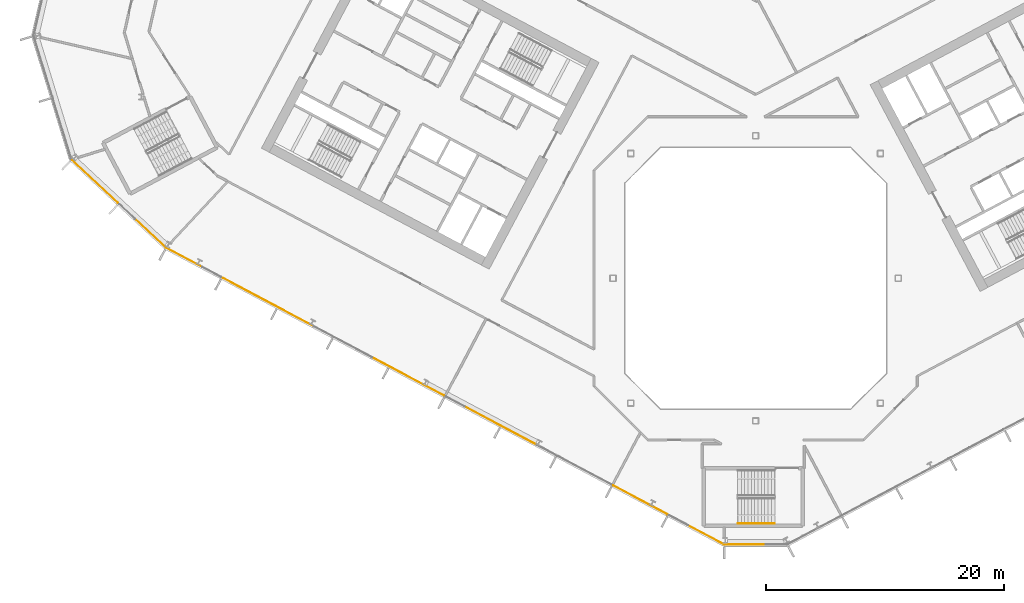
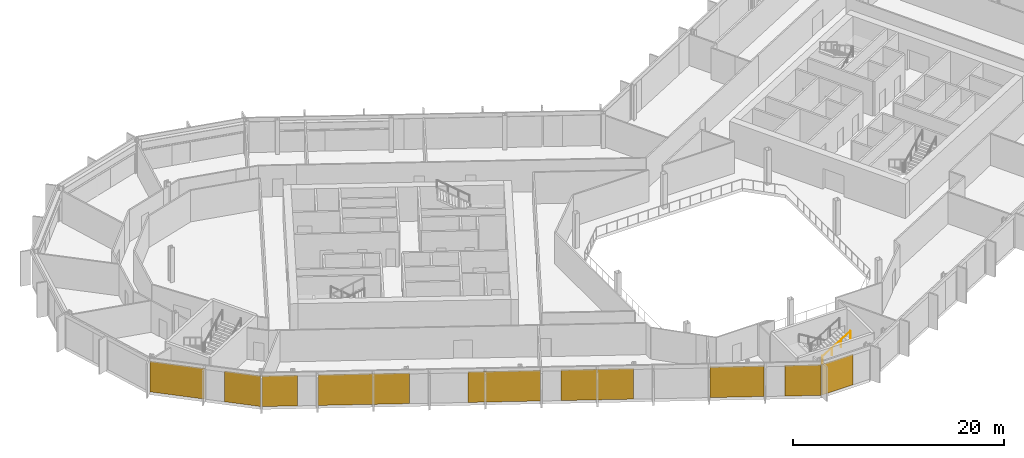
# One storey, part 19 of 28: 9 coverings, 1 railing, 3 elements without a shape of their own.
"""IFC4 building model written with IfcOpenShell, lengths in metres."""

from ifc_helpers import new_model, si_unit, direction, frame, origin, origin_2d, place, context, subcontext, project, spatial, polyline, rectangle, outline, extrude, material, layer, layer_set, type_object, element, aggregate, save


model = new_model("IFC4")

# Units and contexts
model_context = context("Model", 3, precision=1e-05, world=origin(), true_north=direction((0.0, 1.0)))
body_context = subcontext(model_context, "Body", "Model", "MODEL_VIEW")
ifc_project = project(units=[si_unit("LENGTHUNIT", "METRE"), si_unit("AREAUNIT", "SQUARE_METRE"), si_unit("VOLUMEUNIT", "CUBIC_METRE"), si_unit("PLANEANGLEUNIT", "RADIAN"), si_unit("MASSUNIT", "GRAM", prefix="KILO")], contexts=[model_context])

# Site, building, storey
site_placement = place(None, origin())
site = spatial("IfcSite", under=ifc_project, at=site_placement, CompositionType="ELEMENT")
building_placement = place(site_placement, origin())
building = spatial("IfcBuilding", under=site, at=building_placement, Name="Cormorant Relay Tower", CompositionType="ELEMENT")
storey_placement = place(building_placement, frame((0.0, 0.0, 166.199951171875)))
storey = spatial("IfcBuildingStorey", under=building, at=storey_placement, Name="L35", CompositionType="ELEMENT", Elevation=166.199951171875)

# Curtain wall, covering
ifc_material_1 = material(Name="Aluminium 6063-T6 anodised bronze", Category="aluminium")
ifc_layer_1 = layer(ifc_material_1, 0.199951171875)
ifc_layer_set_1 = layer_set([ifc_layer_1], Name="CW1 unitised bronze curtain wall with vertical fins")
curtain_wall_type = type_object("IfcCurtainWallType", Name="CW1 unitised bronze curtain wall with vertical fins", PredefinedType="NOTDEFINED", material=ifc_layer_set_1)
curtain_wall_1_placement = place(storey_placement, origin())
curtain_wall_1 = element("IfcCurtainWall", 1, at=curtain_wall_1_placement, inside=storey, type_object=curtain_wall_type, Name="CW1 curtain wall 1", PredefinedType="NOTDEFINED")
ifc_material_2 = material(Name="Pale bronze anodised aluminium insulated panel", Category="aluminium")
ifc_layer_2 = layer(ifc_material_2, 0.0400390625)
ifc_layer_set_2 = layer_set([ifc_layer_2], Name="CW1 pale bronze insulated panel 40")
covering_type = type_object("IfcCoveringType", Name="CW1 pale bronze insulated panel 40", PredefinedType="CLADDING", material=ifc_layer_set_2)
covering_1_placement = place(storey_placement, frame((-0.862548828125, -22.3955078125, 0.0), z_axis=(0.0, 0.0, 1.0), x_axis=(1.0, 0.0, 0.0)))
covering_1 = element("IfcCovering", 2, at=covering_1_placement, type_object=covering_type, Name="CW1 panel S00", PredefinedType="CLADDING", context=body_context, shape_type="SweptSolid", body=[
    extrude(rectangle(XDim=3.422607421875, YDim=0.0400390625, at=origin_2d()), origin(), (0.0, 0.0, 1.0), 3.550048828125),
])
aggregate(curtain_wall_1, [covering_1])

# Curtain wall, coverings
curtain_wall_2_placement = place(storey_placement, origin())
curtain_wall_2 = element("IfcCurtainWall", 3, at=curtain_wall_2_placement, inside=storey, type_object=curtain_wall_type, Name="CW1 curtain wall 15", PredefinedType="NOTDEFINED")
covering_2_placement = place(storey_placement, frame((-55.56787109375, 8.1298828125, 0.0), z_axis=(0.0, 0.0, 1.0), x_axis=(0.731353701619, -0.681998360062, 0.0)))
covering_2 = element("IfcCovering", 4, at=covering_2_placement, type_object=covering_type, Name="CW1 panel S00", PredefinedType="CLADDING", context=body_context, shape_type="SweptSolid", body=[
    extrude(rectangle(XDim=5.28515625, YDim=0.0400390625, at=origin_2d()), origin(), (0.0, 0.0, 1.0), 3.550048828125),
])
covering_3_placement = place(storey_placement, frame((-50.906982421875, 3.78369140625, 0.0), z_axis=(0.0, 0.0, 1.0), x_axis=(0.731353701619, -0.681998360062, 0.0)))
covering_3 = element("IfcCovering", 5, at=covering_3_placement, type_object=covering_type, Name="CW1 panel S02", PredefinedType="CLADDING", context=body_context, shape_type="SweptSolid", body=[
    extrude(rectangle(XDim=3.560302734375, YDim=0.0400390625, at=origin_2d()), origin(), (0.0, 0.0, 1.0), 3.550048828125),
])
aggregate(curtain_wall_2, [covering_2, covering_3])

curtain_wall_3_placement = place(storey_placement, origin())
curtain_wall_3 = element("IfcCurtainWall", 6, at=curtain_wall_3_placement, inside=storey, type_object=curtain_wall_type, Name="CW1 curtain wall 16", PredefinedType="NOTDEFINED")
covering_4_placement = place(storey_placement, frame((-48.048583984375, 1.7412109375, 0.0), z_axis=(0.0, 0.0, 1.0), x_axis=(0.882947592859, -0.469471562786, 0.0)))
covering_4 = element("IfcCovering", 7, at=covering_4_placement, type_object=covering_type, Name="CW1 panel S00", PredefinedType="CLADDING", context=body_context, shape_type="SweptSolid", body=[
    extrude(rectangle(XDim=3.36669921875, YDim=0.0400390625, at=origin_2d()), origin(), (0.0, 0.0, 1.0), 3.550048828125),
])
covering_5_placement = place(storey_placement, frame((-41.007080078125, -2.002685546875, 0.0), z_axis=(0.0, 0.0, 1.0), x_axis=(0.882947592859, -0.469471562786, 0.0)))
covering_5 = element("IfcCovering", 8, at=covering_5_placement, type_object=covering_type, Name="CW1 panel S02", PredefinedType="CLADDING", context=body_context, shape_type="SweptSolid", body=[
    extrude(rectangle(XDim=8.68310546875, YDim=0.0400390625, at=origin_2d()), origin(), (0.0, 0.0, 1.0), 3.550048828125),
])
covering_6_placement = place(storey_placement, frame((-29.234619140625, -8.26220703125, 0.0), z_axis=(0.0, 0.0, 1.0), x_axis=(0.882947592859, -0.469471562786, 0.0)))
covering_6 = element("IfcCovering", 9, at=covering_6_placement, type_object=covering_type, Name="CW1 panel S05", PredefinedType="CLADDING", context=body_context, shape_type="SweptSolid", body=[
    extrude(rectangle(XDim=6.88330078125, YDim=0.0400390625, at=origin_2d()), origin(), (0.0, 0.0, 1.0), 3.550048828125),
])
covering_7_placement = place(storey_placement, frame((-21.435302734375, -12.4091796875, 0.0), z_axis=(0.0, 0.0, 1.0), x_axis=(0.882947592859, -0.469471562786, 0.0)))
covering_7 = element("IfcCovering", 10, at=covering_7_placement, type_object=covering_type, Name="CW1 panel S07", PredefinedType="CLADDING", context=body_context, shape_type="SweptSolid", body=[
    extrude(rectangle(XDim=6.88330078125, YDim=0.0400390625, at=origin_2d()), origin(), (0.0, 0.0, 1.0), 3.550048828125),
])
covering_8_placement = place(storey_placement, frame((-9.69970703125, -18.649169921875, 0.0), z_axis=(0.0, 0.0, 1.0), x_axis=(0.882947592859, -0.469471562786, 0.0)))
covering_8 = element("IfcCovering", 11, at=covering_8_placement, type_object=covering_type, Name="CW1 panel S10", PredefinedType="CLADDING", context=body_context, shape_type="SweptSolid", body=[
    extrude(rectangle(XDim=5.16650390625, YDim=0.0400390625, at=origin_2d()), origin(), (0.0, 0.0, 1.0), 3.550048828125),
])
covering_9_placement = place(storey_placement, frame((-4.177490234375, -21.58544921875, 0.0), z_axis=(0.0, 0.0, 1.0), x_axis=(0.882947592859, -0.469471562786, 0.0)))
covering_9 = element("IfcCovering", 12, at=covering_9_placement, type_object=covering_type, Name="CW1 panel S12", PredefinedType="CLADDING", context=body_context, shape_type="SweptSolid", body=[
    extrude(rectangle(XDim=3.441650390625, YDim=0.0400390625, at=origin_2d()), origin(), (0.0, 0.0, 1.0), 3.550048828125),
])
aggregate(curtain_wall_3, [covering_4, covering_5, covering_6, covering_7, covering_8, covering_9])

# Railing
ifc_material_3 = material(Name="Steel ASTM A572 Grade 50 (Fy 345 MPa)", Category="steel")
railing_type = type_object("IfcRailingType", Name="Stair handrail 900", PredefinedType="HANDRAIL", material=ifc_material_3)
railing_placement = place(storey_placement, frame((-1.47998046875, -20.625, 2.166748046875)))
element("IfcRailing", 13, at=railing_placement, inside=storey, type_object=railing_type, Name="L35 RK1 stair handrail 2", PredefinedType="HANDRAIL", context=body_context, shape_type="SweptSolid", body=[
    extrude(outline(polyline([(0.022216796875, 0.00927734375), (0.00927734375, 0.022216796875), (-0.00927734375, 0.022216796875), (-0.022216796875, 0.00927734375), (-0.022216796875, -0.00927734375), (-0.00927734375, -0.022216796875), (0.00927734375, -0.022216796875), (0.022216796875, -0.00927734375), (0.022216796875, 0.00927734375)])), frame((0.0, 0.0, 0.8759765625), z_axis=(0.859308565015, 0.0, 0.511457515432), x_axis=(0.0, 1.0, 0.0)), (0.0, 0.0, 1.0), 3.58447265625),
    extrude(outline(polyline([(0.019287109375, 0.008056640625), (0.008056640625, 0.019287109375), (-0.008056640625, 0.019287109375), (-0.019287109375, 0.008056640625), (-0.019287109375, -0.008056640625), (-0.008056640625, -0.019287109375), (0.008056640625, -0.019287109375), (0.019287109375, -0.008056640625), (0.019287109375, 0.008056640625)])), origin(), (0.0, 0.0, 1.0), 0.851806640625),
    extrude(outline(polyline([(0.019287109375, 0.008056640625), (0.008056640625, 0.019287109375), (-0.008056640625, 0.019287109375), (-0.019287109375, 0.008056640625), (-0.019287109375, -0.008056640625), (-0.008056640625, -0.019287109375), (0.008056640625, -0.019287109375), (0.019287109375, -0.008056640625), (0.019287109375, 0.008056640625)])), frame((1.026611328125, 0.0, 0.611083984375)), (0.0, 0.0, 1.0), 0.851806640625),
    extrude(outline(polyline([(0.019287109375, 0.008056640625), (0.008056640625, 0.019287109375), (-0.008056640625, 0.019287109375), (-0.019287109375, 0.008056640625), (-0.019287109375, -0.008056640625), (-0.008056640625, -0.019287109375), (0.008056640625, -0.019287109375), (0.019287109375, -0.008056640625), (0.019287109375, 0.008056640625)])), frame((2.053466796875, 0.0, 1.22216796875)), (0.0, 0.0, 1.0), 0.851806640625),
    extrude(outline(polyline([(0.019287109375, 0.008056640625), (0.008056640625, 0.019287109375), (-0.008056640625, 0.019287109375), (-0.019287109375, 0.008056640625), (-0.019287109375, -0.008056640625), (-0.008056640625, -0.019287109375), (0.008056640625, -0.019287109375), (0.019287109375, -0.008056640625), (0.019287109375, 0.008056640625)])), frame((3.080078125, 0.0, 1.833251953125)), (0.0, 0.0, 1.0), 0.851806640625),
])

save(model, "model.ifc")
